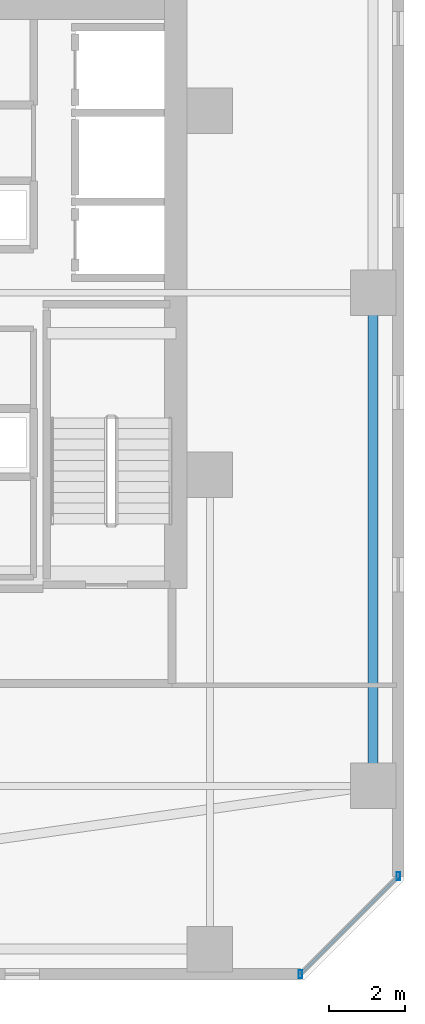
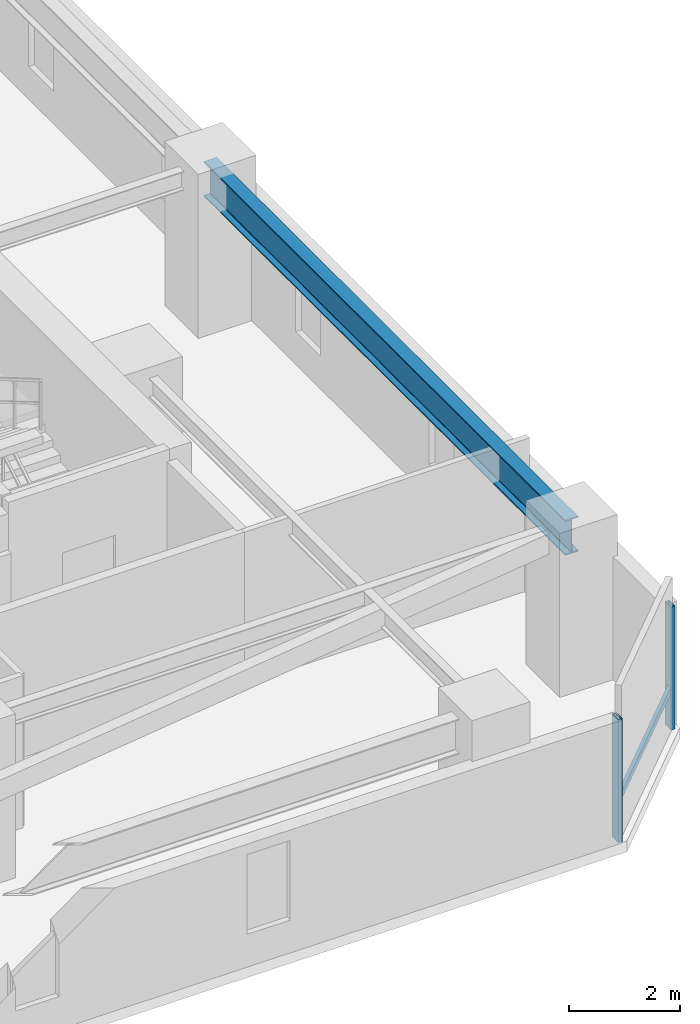
# One storey, part 12 of 31: 3 members, 1 beam, 1 element without a shape of its own.
"""IFC4 building model written with IfcOpenShell, lengths in metres."""

from ifc_helpers import new_model, si_unit, direction, frame, origin, origin_2d, place, context, subcontext, project, spatial, hollow_rectangle, i_section, extrude, material, material_profile, profile_set, type_object, element, aggregate, save


model = new_model("IFC4")

# Units and contexts
model_context = context("Model", 3, precision=1e-05, world=origin(), true_north=direction((0.0, 1.0)))
body_context = subcontext(model_context, "Body", "Model", "MODEL_VIEW")
ifc_project = project(units=[si_unit("LENGTHUNIT", "METRE"), si_unit("AREAUNIT", "SQUARE_METRE"), si_unit("VOLUMEUNIT", "CUBIC_METRE"), si_unit("PLANEANGLEUNIT", "RADIAN"), si_unit("MASSUNIT", "GRAM", prefix="KILO")], contexts=[model_context])

# Site, building, storey
site_placement = place(None, origin())
site = spatial("IfcSite", under=ifc_project, at=site_placement, CompositionType="ELEMENT")
building_placement = place(site_placement, origin())
building = spatial("IfcBuilding", under=site, at=building_placement, Name="Thornwick Lancets Civic Towers", CompositionType="ELEMENT")
storey_placement = place(building_placement, frame((0.0, 0.0, 90.89990234375)))
storey = spatial("IfcBuildingStorey", under=building, at=storey_placement, Name="L23", CompositionType="ELEMENT", Elevation=90.89990234375)

# Beam
ifc_material_1 = material(Name="Steel S355JR", Category="steel")
ifc_material_profile_1 = material_profile(ifc_material_1, i_section(OverallWidth=0.26806640625, OverallDepth=0.769775390625, WebThickness=0.015625, FlangeThickness=0.025390625, FilletRadius=0.0166015625, at=origin_2d()), Name="UKB 762x267x197")
ifc_profile_set_1 = profile_set([ifc_material_profile_1], Name="Steel S355JR")
beam_type = type_object("IfcBeamType", Name="BM_GIRD_762_197", PredefinedType="BEAM", material=ifc_profile_set_1)
beam_placement = place(storey_placement, frame((105.800048828125, 14.0, 2.97509765625), z_axis=(0.0, 1.0, 0.0), x_axis=(-1.0, 0.0, 0.0)))
element("IfcBeam", 1, at=beam_placement, inside=storey, type_object=beam_type, Name="BM-SPINE-L23-B-0-1", PredefinedType="BEAM", context=body_context, shape_type="SweptSolid", body=[
    extrude(i_section(OverallWidth=0.26806640625, OverallDepth=0.769775390625, WebThickness=0.015625, FlangeThickness=0.025390625, FilletRadius=0.0166015625, at=origin_2d()), origin(), (0.0, 0.0, 1.0), 13.0),
])

# Curtain wall, members
ifc_material_2 = material(Name="Low-zone chamfered-corner unitised glass curtain wall", Category="glass")
curtain_wall_type = type_object("IfcCurtainWallType", Name="CW_SYS_03", PredefinedType="NOTDEFINED", material=ifc_material_2)
curtain_wall_placement = place(storey_placement, origin())
curtain_wall = element("IfcCurtainWall", 2, at=curtain_wall_placement, inside=storey, type_object=curtain_wall_type, Name="L23 Curtain Wall CW-L23-B-E1", PredefinedType="NOTDEFINED")
ifc_material_3 = material(Name="Thermally broken bronze aluminium S355", Category="steel")
ifc_material_profile_2 = material_profile(ifc_material_3, hollow_rectangle(XDim=0.090087890625, YDim=0.219970703125, WallThickness=0.00634765625, at=origin_2d()), Name="RHS 220x90x6.3")
ifc_profile_set_2 = profile_set([ifc_material_profile_2], Name="Thermally broken bronze aluminium S355")
member_type_1 = type_object("IfcMemberType", Name="CW_MUL_220", PredefinedType="MULLION", material=ifc_profile_set_2)
member_1_placement = place(storey_placement, frame((103.88134765625, 9.035400390625, 0.0), z_axis=(0.0, 0.0, 1.0), x_axis=(1.0, 0.0, 0.0)))
member_1 = element("IfcMember", 3, at=member_1_placement, type_object=member_type_1, Name="CW-L23-B-E1 Mullion 0", PredefinedType="MULLION", context=body_context, shape_type="SweptSolid", body=[
    extrude(hollow_rectangle(XDim=0.090087890625, YDim=0.219970703125, WallThickness=0.00634765625, at=origin_2d()), origin(), (0.0, 0.0, 1.0), 2.7001953125),
])
member_2_placement = place(storey_placement, frame((106.464599609375, 11.61865234375, 0.0), z_axis=(0.0, 0.0, 1.0), x_axis=(1.0, 0.0, 0.0)))
member_2 = element("IfcMember", 4, at=member_2_placement, type_object=member_type_1, Name="CW-L23-B-E1 Mullion 1", PredefinedType="MULLION", context=body_context, shape_type="SweptSolid", body=[
    extrude(hollow_rectangle(XDim=0.090087890625, YDim=0.219970703125, WallThickness=0.00634765625, at=origin_2d()), origin(), (0.0, 0.0, 1.0), 2.7001953125),
])
ifc_material_profile_3 = material_profile(ifc_material_3, hollow_rectangle(XDim=0.074951171875, YDim=0.14990234375, WallThickness=0.0048828125, at=origin_2d()), Name="RHS 150x75x5")
ifc_profile_set_3 = profile_set([ifc_material_profile_3], Name="Thermally broken bronze aluminium S355")
member_type_2 = type_object("IfcMemberType", Name="CW_TRN_150", PredefinedType="USERDEFINED", material=ifc_profile_set_3)
member_3_placement = place(storey_placement, frame((103.8955078125, 9.04931640625, 0.85009765625), z_axis=(0.707106781187, 0.707106781187, 0.0), x_axis=(-0.707106781187, 0.707106781187, 0.0)))
member_3 = element("IfcMember", 5, at=member_3_placement, type_object=member_type_2, Name="CW-L23-B-E1 Transom 0", ObjectType="TRANSOM", PredefinedType="USERDEFINED", context=body_context, shape_type="SweptSolid", body=[
    extrude(hollow_rectangle(XDim=0.074951171875, YDim=0.14990234375, WallThickness=0.0048828125, at=origin_2d()), origin(), (0.0, 0.0, 1.0), 3.613525390625),
])
aggregate(curtain_wall, [member_1, member_2, member_3])

save(model, "model.ifc")
